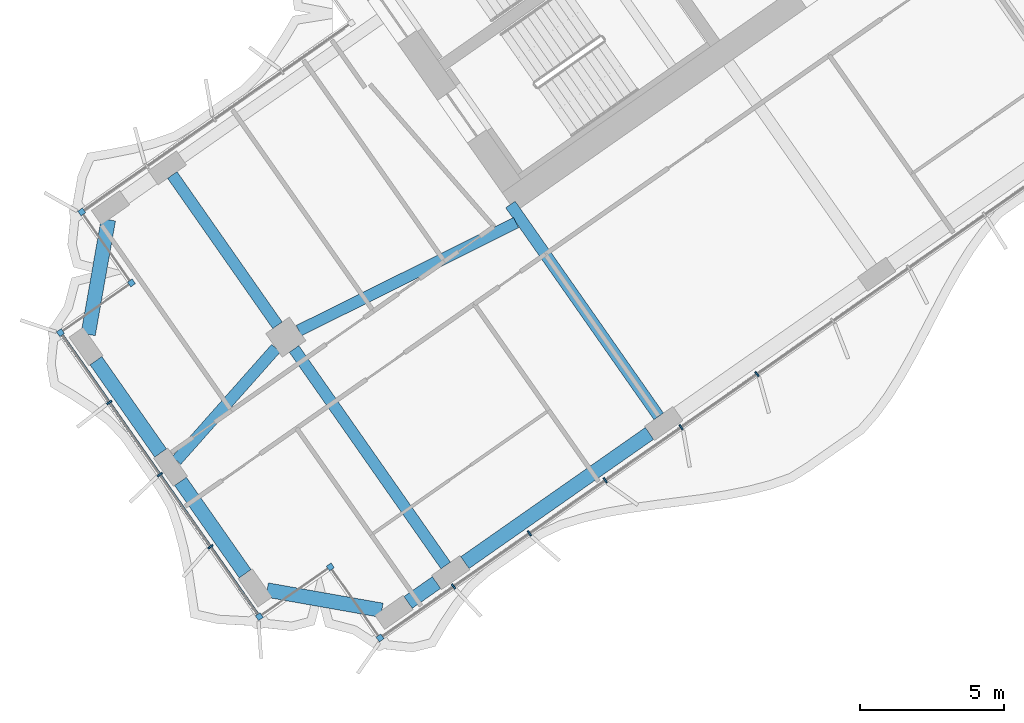
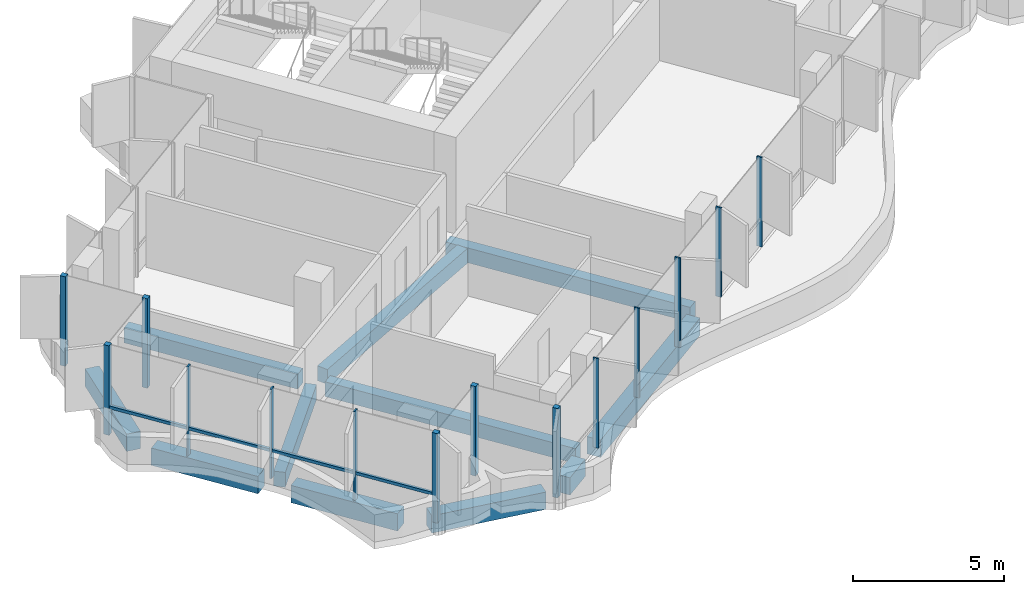
# One storey, part 2 of 23: 15 members, 11 beams, 1 element without a shape of its own.
"""IFC4 building model written with IfcOpenShell, lengths in metres."""

from ifc_helpers import new_model, si_unit, direction, frame, origin, origin_2d, place, context, subcontext, project, spatial, rectangle, extrude, material, material_profile, profile_set, type_object, element, aggregate, save


model = new_model("IFC4")

# Units and contexts
model_context = context("Model", 3, precision=1e-05, world=origin(), true_north=direction((0.0, 1.0)))
body_context = subcontext(model_context, "Body", "Model", "MODEL_VIEW")
ifc_project = project(units=[si_unit("LENGTHUNIT", "METRE"), si_unit("AREAUNIT", "SQUARE_METRE"), si_unit("VOLUMEUNIT", "CUBIC_METRE"), si_unit("PLANEANGLEUNIT", "RADIAN"), si_unit("MASSUNIT", "GRAM", prefix="KILO")], contexts=[model_context])

# Site, building, storey
site_placement = place(None, origin())
site = spatial("IfcSite", under=ifc_project, at=site_placement, CompositionType="ELEMENT")
building_placement = place(site_placement, origin())
building = spatial("IfcBuilding", under=site, at=building_placement, Name="Tel Ilan Convention Tower", CompositionType="ELEMENT")
storey_placement = place(building_placement, frame((0.0, 0.0, 178.800048828125)))
storey = spatial("IfcBuildingStorey", under=building, at=storey_placement, Name="L41", CompositionType="ELEMENT", Elevation=178.800048828125)

# Beams
ifc_material_1 = material(Name="Concrete C40/50", Category="concrete")
ifc_material_profile_1 = material_profile(ifc_material_1, rectangle(XDim=0.39990234375, YDim=0.60009765625, at=origin_2d()), Name="RC 400x600")
ifc_profile_set_1 = profile_set([ifc_material_profile_1], Name="Concrete C40/50")
beam_type_1 = type_object("IfcBeamType", Name="Beam RC 400x600 Concrete C40/50", PredefinedType="BEAM", material=ifc_profile_set_1)
beam_1_placement = place(storey_placement, frame((-16.58203125, -23.391357421875, -0.580078125), z_axis=(-0.573584999642, 0.819146048141, 0.0), x_axis=(-0.819146048141, -0.573584999642, 0.0)))
element("IfcBeam", 1, at=beam_1_placement, inside=storey, type_object=beam_type_1, Name="L41 beam W-W-F3-core", PredefinedType="BEAM", context=body_context, shape_type="SweptSolid", body=[
    extrude(rectangle(XDim=0.39990234375, YDim=0.60009765625, at=origin_2d()), origin(), (0.0, 0.0, 1.0), 8.949951171875),
])
beam_2_placement = place(storey_placement, frame((-21.52099609375, -16.686279296875, -0.580078125), z_axis=(-0.895402365524, -0.445257907076, 0.0), x_axis=(0.445257907076, -0.895402365524, 0.0)))
element("IfcBeam", 2, at=beam_2_placement, inside=storey, type_object=beam_type_1, Name="L41 beam W-core-W-M4", PredefinedType="BEAM", context=body_context, shape_type="SweptSolid", body=[
    extrude(rectangle(XDim=0.39990234375, YDim=0.60009765625, at=origin_2d()), origin(), (0.0, 0.0, 1.0), 8.3935546875),
])
beam_3_placement = place(storey_placement, frame((-29.830322265625, -21.03369140625, -0.580078125), z_axis=(-0.663175252401, -0.748464150512, 0.0), x_axis=(0.748464150512, -0.663175252401, 0.0)))
element("IfcBeam", 3, at=beam_3_placement, inside=storey, type_object=beam_type_1, Name="L41 beam W-W-M4-end", PredefinedType="BEAM", context=body_context, shape_type="SweptSolid", body=[
    extrude(rectangle(XDim=0.39990234375, YDim=0.60009765625, at=origin_2d()), origin(), (0.0, 0.0, 1.0), 5.192626953125),
])
beam_4_placement = place(storey_placement, frame((-29.20263671875, -21.058349609375, -0.580078125), z_axis=(0.573557249804, -0.819165478519, 0.0), x_axis=(0.819165478519, 0.573557249804, 0.0)))
element("IfcBeam", 4, at=beam_4_placement, inside=storey, type_object=beam_type_1, Name="L41 beam W-W-M4-W-F4", PredefinedType="BEAM", context=body_context, shape_type="SweptSolid", body=[
    extrude(rectangle(XDim=0.39990234375, YDim=0.60009765625, at=origin_2d()), origin(), (0.0, 0.0, 1.0), 9.14990234375),
])
beam_5_placement = place(storey_placement, frame((-29.7763671875, -20.2392578125, -0.580078125), z_axis=(-0.573560394383, 0.819163276762, 0.0), x_axis=(-0.819163276762, -0.573560394383, 0.0)))
element("IfcBeam", 5, at=beam_5_placement, inside=storey, type_object=beam_type_1, Name="L41 beam W-W-M4-W-B4", PredefinedType="BEAM", context=body_context, shape_type="SweptSolid", body=[
    extrude(rectangle(XDim=0.39990234375, YDim=0.60009765625, at=origin_2d()), origin(), (0.0, 0.0, 1.0), 6.349853515625),
])
ifc_material_2 = material(Name="Concrete C40/50", Category="concrete")
ifc_material_profile_2 = material_profile(ifc_material_2, rectangle(XDim=0.5, YDim=0.699951171875, at=origin_2d()), Name="RC 500x700")
ifc_profile_set_2 = profile_set([ifc_material_profile_2], Name="Concrete C40/50")
beam_type_2 = type_object("IfcBeamType", Name="Beam RC 500x700 Concrete C40/50", PredefinedType="BEAM", material=ifc_profile_set_2)
beam_6_placement = place(storey_placement, frame((-16.901611328125, -23.981201171875, -0.630126953125), z_axis=(-0.819153977895, -0.573573674866, 0.0), x_axis=(0.573573674866, -0.819153977895, 0.0)))
element("IfcBeam", 6, at=beam_6_placement, inside=storey, type_object=beam_type_2, Name="L41 beam W-W-F3-W-F4", PredefinedType="BEAM", context=body_context, shape_type="SweptSolid", body=[
    extrude(rectangle(XDim=0.5, YDim=0.699951171875, at=origin_2d()), origin(), (0.0, 0.0, 1.0), 7.800048828125),
])
beam_7_placement = place(storey_placement, frame((-24.27392578125, -29.1435546875, -0.630126953125), z_axis=(-0.819155442668, -0.573571582932, 0.0), x_axis=(0.573571582932, -0.819155442668, 0.0)))
element("IfcBeam", 7, at=beam_7_placement, inside=storey, type_object=beam_type_2, Name="L41 beam W-W-F4-W-FC", PredefinedType="BEAM", context=body_context, shape_type="SweptSolid", body=[
    extrude(rectangle(XDim=0.5, YDim=0.699951171875, at=origin_2d()), origin(), (0.0, 0.0, 1.0), 1.199951171875),
])
beam_8_placement = place(storey_placement, frame((-26.166259765625, -30.102294921875, -0.630126953125), z_axis=(-0.984804894423, 0.173664388751, 0.0), x_axis=(-0.173664388751, -0.984804894423, 0.0)))
element("IfcBeam", 8, at=beam_8_placement, inside=storey, type_object=beam_type_2, Name="L41 beam W-W-FC-W-E1", PredefinedType="BEAM", context=body_context, shape_type="SweptSolid", body=[
    extrude(rectangle(XDim=0.5, YDim=0.699951171875, at=origin_2d()), origin(), (0.0, 0.0, 1.0), 4.030517578125),
])
for number, where, z_axis, x_axis, name in (
    (9, (-30.8974609375, -28.837158203125, -0.630126953125), (-0.573609383536, 0.819128973434, 0.0), (-0.819128973434, -0.573609383536, 0.0), "L41 beam W-W-E1-W-E2"),
    (10, (-33.82275390625, -24.659423828125, -0.630126953125), (-0.573567378001, 0.81915838694, 0.0), (-0.81915838694, -0.573567378001, 0.0), "L41 beam W-W-E2-W-E3"),
):
    element("IfcBeam", number, at=place(storey_placement, frame(where, z_axis=z_axis, x_axis=x_axis)), inside=storey, type_object=beam_type_2, Name=name, PredefinedType="BEAM", context=body_context, shape_type="SweptSolid", body=[
        extrude(rectangle(XDim=0.5, YDim=0.699951171875, at=origin_2d()), origin(), (0.0, 0.0, 1.0), 3.89990234375),
    ])
beam_9_placement = place(storey_placement, frame((-36.330078125, -20.555419921875, -0.630126953125), z_axis=(0.173664388751, 0.984804894423, 0.0), x_axis=(-0.984804894423, 0.173664388751, 0.0)))
element("IfcBeam", 11, at=beam_9_placement, inside=storey, type_object=beam_type_2, Name="L41 beam W-W-E3-W-BC", PredefinedType="BEAM", context=body_context, shape_type="SweptSolid", body=[
    extrude(rectangle(XDim=0.5, YDim=0.699951171875, at=origin_2d()), origin(), (0.0, 0.0, 1.0), 4.030517578125),
])

# Curtain wall, members
ifc_material_3 = material(Name="Aluminium, bronze anodised", Category="aluminium")
curtain_wall_type = type_object("IfcCurtainWallType", Name="CW4 STICK CURTAIN WALL, OFFICE TINTED GLASS", PredefinedType="NOTDEFINED", material=ifc_material_3)
curtain_wall_placement = place(storey_placement, origin())
curtain_wall = element("IfcCurtainWall", 12, at=curtain_wall_placement, inside=storey, type_object=curtain_wall_type, Name="Curtain wall CW4-31.02", PredefinedType="NOTDEFINED")
ifc_material_4 = material(Name="Aluminium, bronze anodised", Category="aluminium")
ifc_material_profile_3 = material_profile(ifc_material_4, rectangle(XDim=0.199951171875, YDim=0.199951171875, at=origin_2d()), Name="CW CORNER MULLION 200x200")
ifc_profile_set_3 = profile_set([ifc_material_profile_3], Name="Aluminium, bronze anodised")
member_type_1 = type_object("IfcMemberType", Name="CW CORNER MULLION 200x200", PredefinedType="MULLION", material=ifc_profile_set_3)
member_1_placement = place(storey_placement, frame((-36.5517578125, -16.31591796875, 0.0), z_axis=(0.0, 0.0, 1.0), x_axis=(-0.819152044289, -0.573576436351, 0.0)))
member_1 = element("IfcMember", 13, at=member_1_placement, type_object=member_type_1, Name="Corner mullion", PredefinedType="MULLION", context=body_context, shape_type="SweptSolid", body=[
    extrude(rectangle(XDim=0.199951171875, YDim=0.199951171875, at=origin_2d()), origin(), (0.0, 0.0, 1.0), 3.619873046875),
])
member_2_placement = place(storey_placement, frame((-34.8310546875, -18.7734375, 0.0), z_axis=(0.0, 0.0, 1.0), x_axis=(0.573576436351, -0.819152044289, 0.0)))
member_2 = element("IfcMember", 14, at=member_2_placement, type_object=member_type_1, Name="Corner mullion", PredefinedType="MULLION", context=body_context, shape_type="SweptSolid", body=[
    extrude(rectangle(XDim=0.199951171875, YDim=0.199951171875, at=origin_2d()), origin(), (0.0, 0.0, 1.0), 3.619873046875),
])
member_3_placement = place(storey_placement, frame((-37.28857421875, -20.494140625, 0.0), z_axis=(0.0, 0.0, 1.0), x_axis=(-0.819152044289, -0.573576436351, 0.0)))
member_3 = element("IfcMember", 15, at=member_3_placement, type_object=member_type_1, Name="Corner mullion", PredefinedType="MULLION", context=body_context, shape_type="SweptSolid", body=[
    extrude(rectangle(XDim=0.199951171875, YDim=0.199951171875, at=origin_2d()), origin(), (0.0, 0.0, 1.0), 3.619873046875),
])
member_4_placement = place(storey_placement, frame((-30.40576171875, -30.323974609375, 0.0), z_axis=(0.0, 0.0, 1.0), x_axis=(0.573576436351, -0.819152044289, 0.0)))
member_4 = element("IfcMember", 16, at=member_4_placement, type_object=member_type_1, Name="Corner mullion", PredefinedType="MULLION", context=body_context, shape_type="SweptSolid", body=[
    extrude(rectangle(XDim=0.199951171875, YDim=0.199951171875, at=origin_2d()), origin(), (0.0, 0.0, 1.0), 3.619873046875),
])
member_5_placement = place(storey_placement, frame((-27.9482421875, -28.603271484375, 0.0), z_axis=(0.0, 0.0, 1.0), x_axis=(0.819152044289, 0.573576436351, 0.0)))
member_5 = element("IfcMember", 17, at=member_5_placement, type_object=member_type_1, Name="Corner mullion", PredefinedType="MULLION", context=body_context, shape_type="SweptSolid", body=[
    extrude(rectangle(XDim=0.199951171875, YDim=0.199951171875, at=origin_2d()), origin(), (0.0, 0.0, 1.0), 3.619873046875),
])
member_6_placement = place(storey_placement, frame((-26.2275390625, -31.060791015625, 0.0), z_axis=(0.0, 0.0, 1.0), x_axis=(0.573576436351, -0.819152044289, 0.0)))
member_6 = element("IfcMember", 18, at=member_6_placement, type_object=member_type_1, Name="Corner mullion", PredefinedType="MULLION", context=body_context, shape_type="SweptSolid", body=[
    extrude(rectangle(XDim=0.199951171875, YDim=0.199951171875, at=origin_2d()), origin(), (0.0, 0.0, 1.0), 3.619873046875),
])
ifc_material_5 = material(Name="Aluminium, bronze anodised", Category="aluminium")
ifc_material_profile_4 = material_profile(ifc_material_5, rectangle(XDim=0.06005859375, YDim=0.199951171875, at=origin_2d()), Name="CW MULLION 60x200")
ifc_profile_set_4 = profile_set([ifc_material_profile_4], Name="Aluminium, bronze anodised")
member_type_2 = type_object("IfcMemberType", Name="CW MULLION 60x200", PredefinedType="MULLION", material=ifc_profile_set_4)
member_7_placement = place(storey_placement, frame((-35.596435546875, -22.91064453125, 0.0), z_axis=(0.0, 0.0, 1.0), x_axis=(0.573576436351, -0.819152044289, 0.0)))
member_7 = element("IfcMember", 19, at=member_7_placement, type_object=member_type_2, Name="Mullion", PredefinedType="MULLION", context=body_context, shape_type="SweptSolid", body=[
    extrude(rectangle(XDim=0.06005859375, YDim=0.199951171875, at=origin_2d()), origin(), (0.0, 0.0, 1.0), 3.619873046875),
])
member_8_placement = place(storey_placement, frame((-33.84716796875, -25.4091796875, 0.0), z_axis=(0.0, 0.0, 1.0), x_axis=(0.573576436351, -0.819152044289, 0.0)))
member_8 = element("IfcMember", 20, at=member_8_placement, type_object=member_type_2, Name="Mullion", PredefinedType="MULLION", context=body_context, shape_type="SweptSolid", body=[
    extrude(rectangle(XDim=0.06005859375, YDim=0.199951171875, at=origin_2d()), origin(), (0.0, 0.0, 1.0), 3.619873046875),
])
member_9_placement = place(storey_placement, frame((-32.09765625, -27.907470703125, 0.0), z_axis=(0.0, 0.0, 1.0), x_axis=(0.573576436351, -0.819152044289, 0.0)))
member_9 = element("IfcMember", 21, at=member_9_placement, type_object=member_type_2, Name="Mullion", PredefinedType="MULLION", context=body_context, shape_type="SweptSolid", body=[
    extrude(rectangle(XDim=0.06005859375, YDim=0.199951171875, at=origin_2d()), origin(), (0.0, 0.0, 1.0), 3.619873046875),
])
member_10_placement = place(storey_placement, frame((-23.68408203125, -29.27978515625, 0.0), z_axis=(0.0, 0.0, 1.0), x_axis=(0.819152044289, 0.573576436351, 0.0)))
member_10 = element("IfcMember", 22, at=member_10_placement, type_object=member_type_2, Name="Mullion", PredefinedType="MULLION", context=body_context, shape_type="SweptSolid", body=[
    extrude(rectangle(XDim=0.06005859375, YDim=0.199951171875, at=origin_2d()), origin(), (0.0, 0.0, 1.0), 3.619873046875),
])
member_11_placement = place(storey_placement, frame((-21.05908203125, -27.441650390625, 0.0), z_axis=(0.0, 0.0, 1.0), x_axis=(0.819152044289, 0.573576436351, 0.0)))
member_11 = element("IfcMember", 23, at=member_11_placement, type_object=member_type_2, Name="Mullion", PredefinedType="MULLION", context=body_context, shape_type="SweptSolid", body=[
    extrude(rectangle(XDim=0.06005859375, YDim=0.199951171875, at=origin_2d()), origin(), (0.0, 0.0, 1.0), 3.619873046875),
])
member_12_placement = place(storey_placement, frame((-18.433837890625, -25.603515625, 0.0), z_axis=(0.0, 0.0, 1.0), x_axis=(0.819152044289, 0.573576436351, 0.0)))
member_12 = element("IfcMember", 24, at=member_12_placement, type_object=member_type_2, Name="Mullion", PredefinedType="MULLION", context=body_context, shape_type="SweptSolid", body=[
    extrude(rectangle(XDim=0.06005859375, YDim=0.199951171875, at=origin_2d()), origin(), (0.0, 0.0, 1.0), 3.619873046875),
])
member_13_placement = place(storey_placement, frame((-15.80859375, -23.765380859375, 0.0), z_axis=(0.0, 0.0, 1.0), x_axis=(0.819152044289, 0.573576436351, 0.0)))
member_13 = element("IfcMember", 25, at=member_13_placement, type_object=member_type_2, Name="Mullion", PredefinedType="MULLION", context=body_context, shape_type="SweptSolid", body=[
    extrude(rectangle(XDim=0.06005859375, YDim=0.199951171875, at=origin_2d()), origin(), (0.0, 0.0, 1.0), 3.619873046875),
])
member_14_placement = place(storey_placement, frame((-13.183349609375, -21.92724609375, 0.0), z_axis=(0.0, 0.0, 1.0), x_axis=(0.819152044289, 0.573576436351, 0.0)))
member_14 = element("IfcMember", 26, at=member_14_placement, type_object=member_type_2, Name="Mullion", PredefinedType="MULLION", context=body_context, shape_type="SweptSolid", body=[
    extrude(rectangle(XDim=0.06005859375, YDim=0.199951171875, at=origin_2d()), origin(), (0.0, 0.0, 1.0), 3.619873046875),
])
ifc_material_6 = material(Name="Aluminium, bronze anodised", Category="aluminium")
ifc_material_profile_5 = material_profile(ifc_material_6, rectangle(XDim=0.10009765625, YDim=0.1201171875, at=origin_2d()), Name="CW TRANSOM 100x120")
ifc_profile_set_5 = profile_set([ifc_material_profile_5], Name="Aluminium, bronze anodised")
member_type_3 = type_object("IfcMemberType", Name="CW TRANSOM 100x120", PredefinedType="USERDEFINED", material=ifc_profile_set_5)
member_15_placement = place(storey_placement, frame((-37.231201171875, -20.576171875, 1.099853515625), z_axis=(0.573567872435, -0.819158040741, 0.0), x_axis=(0.819158040741, 0.573567872435, 0.0)))
member_15 = element("IfcMember", 27, at=member_15_placement, type_object=member_type_3, Name="Transom", ObjectType="TRANSOM", PredefinedType="USERDEFINED", context=body_context, shape_type="SweptSolid", body=[
    extrude(rectangle(XDim=0.10009765625, YDim=0.1201171875, at=origin_2d()), origin(), (0.0, 0.0, 1.0), 11.800048828125),
])
aggregate(curtain_wall, [member_1, member_2, member_3, member_7, member_8, member_9, member_4, member_15, member_5, member_6, member_10, member_11, member_12, member_13, member_14])

save(model, "model.ifc")
